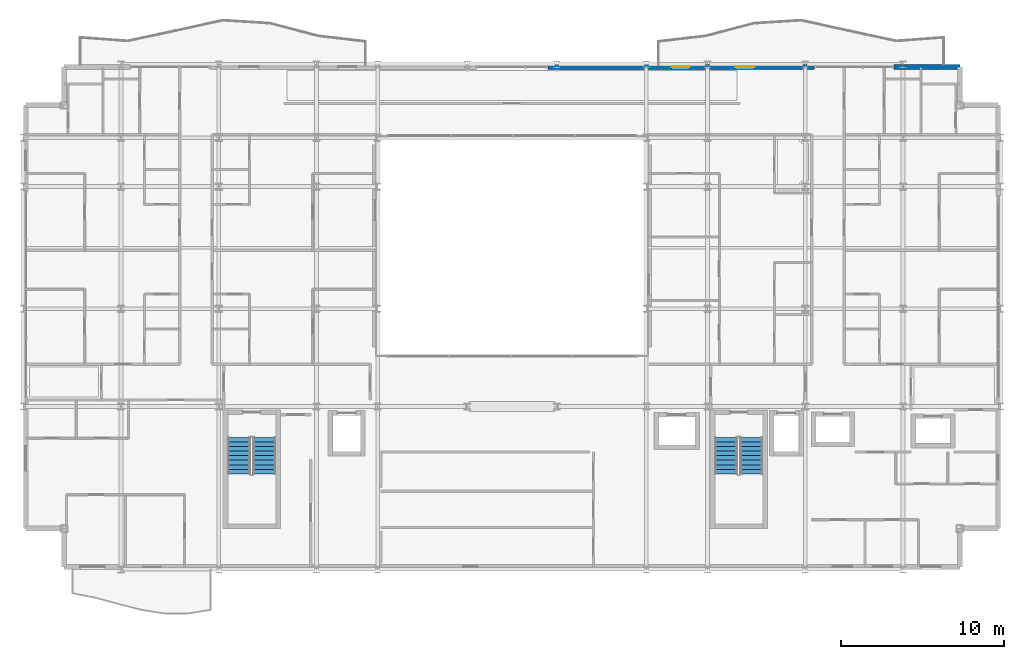
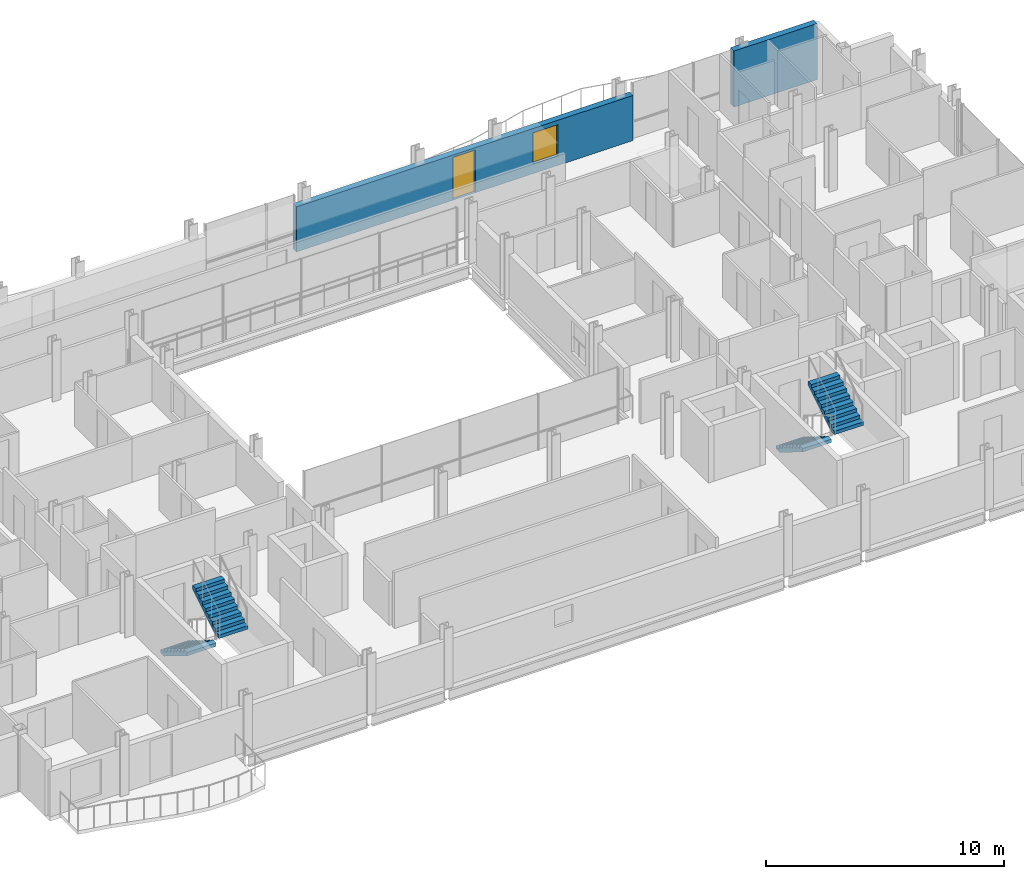
# One storey, part 37 of 41: 4 stair flights, 2 walls, 1 door, 1 window, 2 openings, 2 elements without a shape of their own.
"""IFC4 building model written with IfcOpenShell, lengths in metres."""

from ifc_helpers import new_model, si_unit, direction, frame, frame_2d, origin, place, context, subcontext, project, spatial, polyline, rectangle, outline, extrude, material, layer, layer_set, type_object, element, fill, aggregate, save


model = new_model("IFC4")

# Units and contexts
model_context = context("Model", 3, precision=1e-05, world=origin(), true_north=direction((0.0, 1.0)))
body_context = subcontext(model_context, "Body", "Model", "MODEL_VIEW")
ifc_project = project(units=[si_unit("LENGTHUNIT", "METRE"), si_unit("AREAUNIT", "SQUARE_METRE"), si_unit("VOLUMEUNIT", "CUBIC_METRE"), si_unit("PLANEANGLEUNIT", "RADIAN"), si_unit("MASSUNIT", "GRAM", prefix="KILO")], contexts=[model_context])

# Site, building, storey
site_placement = place(None, origin())
site = spatial("IfcSite", under=ifc_project, at=site_placement, CompositionType="ELEMENT")
building_placement = place(site_placement, origin())
building = spatial("IfcBuilding", under=site, at=building_placement, Name="Brevholm Reach", CompositionType="ELEMENT")
storey_placement = place(building_placement, frame((0.0, 0.0, 112.800048828125)))
storey = spatial("IfcBuildingStorey", under=building, at=storey_placement, Name="L33", CompositionType="ELEMENT", Elevation=112.800048828125)

# Wall
ifc_material_1 = material(Name="Concrete C40/50", Category="concrete")
ifc_layer_1 = layer(ifc_material_1, 0.300048828125)
ifc_layer_set_1 = layer_set([ifc_layer_1], Name="Concrete C40/50")
wall_type = type_object("IfcWallType", Name="WAL-EXT-300", PredefinedType="STANDARD", material=ifc_layer_set_1)
wall_1_placement = place(storey_placement, frame((53.449951171875, 30.85009765625, 0.0), z_axis=(0.0, 0.0, 1.0), x_axis=(1.0, 0.0, 0.0)))
element("IfcWall", 1, at=wall_1_placement, inside=storey, type_object=wall_type, Name="L33 Facade Wall WAL-L33-NP-E0", PredefinedType="STANDARD", context=body_context, shape_type="SweptSolid", body=[
    extrude(rectangle(XDim=4.050048828125, YDim=0.300048828125, at=frame_2d((2.02490234375, 0.0))), origin(), (0.0, 0.0, 1.0), 2.8798828125),
])

# Wall, openings, door, window
wall_2_placement = place(storey_placement, frame((32.199951171875, 30.85009765625, 0.0), z_axis=(0.0, 0.0, 1.0), x_axis=(1.0, 0.0, 0.0)))
wall_2 = element("IfcWall", 2, at=wall_2_placement, inside=storey, type_object=wall_type, Name="L33 Facade Wall WAL-L33-NP-ER", PredefinedType="STANDARD", context=body_context, shape_type="SweptSolid", body=[
    extrude(rectangle(XDim=16.35009765625, YDim=0.300048828125, at=frame_2d((8.175048828125, 0.0))), origin(), (0.0, 0.0, 1.0), 2.32177734375),
])
opening_1_placement = place(wall_2_placement, frame((7.60009765625, 0.0, 0.0)))
opening_1 = element("IfcOpeningElement", 3, at=opening_1_placement, cuts=wall_2, Name="Opening BD-01", PredefinedType="OPENING", context=body_context, shape_type="SweptSolid", body=[
    extrude(rectangle(XDim=1.10009765625, YDim=2.199951171875, at=frame_2d((0.550048828125, 1.10009765625))), frame((0.0, 0.159912109375, 0.0), z_axis=(0.0, -1.0, 0.0), x_axis=(1.0, 0.0, 0.0)), (0.0, 0.0, 1.0), 0.320068359375),
])
opening_2_placement = place(wall_2_placement, frame((11.5, 0.0, 0.501953125)))
opening_2 = element("IfcOpeningElement", 4, at=opening_2_placement, cuts=wall_2, Name="Opening WN-08", PredefinedType="OPENING", context=body_context, shape_type="SweptSolid", body=[
    extrude(rectangle(XDim=1.199951171875, YDim=1.60009765625, at=frame_2d((0.60009765625, 0.800048828125))), frame((0.0, 0.159912109375, 0.0), z_axis=(0.0, -1.0, 0.0), x_axis=(1.0, 0.0, 0.0)), (0.0, 0.0, 1.0), 0.320068359375),
])
ifc_material_2 = material(Name="Dark Anodised Aluminium and Triple-Glazed Glass", Category="aluminium")
door_type = type_object("IfcDoorType", Name="DOR-BALC-1100", OperationType="NOTDEFINED", PredefinedType="DOOR", material=ifc_material_2)
door_placement = place(opening_1_placement, origin())
door = element("IfcDoor", 5, at=door_placement, inside=storey, type_object=door_type, Name="L33 Exterior Door DOR-L33-BL-NE", OperationType="SINGLE_SWING_LEFT", OverallHeight=2.199951171875, OverallWidth=1.10009765625, PredefinedType="DOOR", context=body_context, shape_type="SweptSolid", body=[
    extrude(rectangle(XDim=1.10009765625, YDim=2.199951171875, at=frame_2d((0.550048828125, 1.10009765625))), frame((0.0, 0.02490234375, 0.0), z_axis=(0.0, -1.0, 0.0), x_axis=(1.0, 0.0, 0.0)), (0.0, 0.0, 1.0), 0.050048828125),
])
fill(opening_1, door)
ifc_material_3 = material(Name="Dark Anodised Aluminium and Solar-Control IGU Glass", Category="aluminium")
window_type = type_object("IfcWindowType", Name="WIN-RES-1200", PartitioningType="SINGLE_PANEL", PredefinedType="WINDOW", material=ifc_material_3)
window_placement = place(opening_2_placement, origin())
window = element("IfcWindow", 6, at=window_placement, inside=storey, type_object=window_type, Name="L33 Window WIN-L33-NP-ER1", OverallHeight=1.60009765625, OverallWidth=1.199951171875, PartitioningType="SINGLE_PANEL", PredefinedType="WINDOW", context=body_context, shape_type="SweptSolid", body=[
    extrude(rectangle(XDim=1.199951171875, YDim=1.60009765625, at=frame_2d((0.60009765625, 0.800048828125))), frame((0.0, 0.030029296875, 0.0), z_axis=(0.0, -1.0, 0.0), x_axis=(1.0, 0.0, 0.0)), (0.0, 0.0, 1.0), 0.06005859375),
])
fill(opening_2, window)

# Stair, stair flights
ifc_material_4 = material(Name="Precast Concrete C40/50", Category="concrete")
stair_type = type_object("IfcStairType", Name="STR-ESC-1400", PredefinedType="DOUBLE_RETURN_STAIR", material=ifc_material_4)
stair_1_placement = place(storey_placement, origin())
stair_1 = element("IfcStair", 7, at=stair_1_placement, inside=storey, type_object=stair_type, Name="L33 ST-1", PredefinedType="DOUBLE_RETURN_STAIR")
ifc_material_5 = material(Name="Precast Concrete C40/50", Category="concrete")
ifc_layer_2 = layer(ifc_material_5, 0.18505859375)
ifc_layer_set_2 = layer_set([ifc_layer_2], Name="Precast Concrete C40/50")
stair_flight_type = type_object("IfcStairFlightType", Name="STF-PRC-185", PredefinedType="STRAIGHT", material=ifc_layer_set_2)
stair_flight_1_placement = place(storey_placement, frame((13.25, 8.10009765625, 0.0), z_axis=(0.0, 0.0, 1.0), x_axis=(0.0, -1.0, 0.0)))
stair_flight_1 = element("IfcStairFlight", 8, at=stair_flight_1_placement, type_object=stair_flight_type, Name="ST-1 flight 1", NumberOfRisers=9, NumberOfTreads=8, PredefinedType="STRAIGHT", RiserHeight=0.172222222, TreadLength=0.28, context=body_context, shape_type="SweptSolid", body=[
    extrude(outline(polyline([(0.0, 0.0), (0.0, 0.172119140625), (0.280029296875, 0.172119140625), (0.280029296875, 0.344482421875), (0.56005859375, 0.344482421875), (0.56005859375, 0.5166015625), (0.840087890625, 0.5166015625), (0.840087890625, 0.68896484375), (1.1201171875, 0.68896484375), (1.1201171875, 0.861083984375), (1.39990234375, 0.861083984375), (1.39990234375, 1.033447265625), (1.679931640625, 1.033447265625), (1.679931640625, 1.20556640625), (1.9599609375, 1.20556640625), (1.9599609375, 1.377685546875), (2.239990234375, 1.377685546875), (2.239990234375, 1.550048828125), (2.239990234375, 1.201904296875), (0.2861328125, 0.0), (0.0, 0.0)])), frame((0.0, 0.699951171875, 0.0), z_axis=(0.0, -1.0, 0.0), x_axis=(1.0, 0.0, 0.0)), (0.0, 0.0, 1.0), 1.39990234375),
])
stair_flight_2_placement = place(storey_placement, frame((14.800048828125, 5.860107421875, 1.550048828125), z_axis=(0.0, 0.0, 1.0), x_axis=(0.0, 1.0, 0.0)))
stair_flight_2 = element("IfcStairFlight", 9, at=stair_flight_2_placement, type_object=stair_flight_type, Name="ST-1 flight 2", NumberOfRisers=9, NumberOfTreads=8, PredefinedType="STRAIGHT", RiserHeight=0.172222222, TreadLength=0.28, context=body_context, shape_type="SweptSolid", body=[
    extrude(outline(polyline([(0.0, 0.0), (0.0, 0.172119140625), (0.280029296875, 0.172119140625), (0.280029296875, 0.344482421875), (0.56005859375, 0.344482421875), (0.56005859375, 0.5166015625), (0.840087890625, 0.5166015625), (0.840087890625, 0.68896484375), (1.1201171875, 0.68896484375), (1.1201171875, 0.861083984375), (1.39990234375, 0.861083984375), (1.39990234375, 1.033447265625), (1.679931640625, 1.033447265625), (1.679931640625, 1.20556640625), (1.9599609375, 1.20556640625), (1.9599609375, 1.377685546875), (2.239990234375, 1.377685546875), (2.239990234375, 1.550048828125), (2.239990234375, 1.201904296875), (0.2861328125, 0.0), (0.0, 0.0)])), frame((0.0, 0.699951171875, 0.0), z_axis=(0.0, -1.0, 0.0), x_axis=(1.0, 0.0, 0.0)), (0.0, 0.0, 1.0), 1.39990234375),
])
aggregate(stair_1, [stair_flight_1, stair_flight_2])

stair_2_placement = place(storey_placement, origin())
stair_2 = element("IfcStair", 10, at=stair_2_placement, inside=storey, type_object=stair_type, Name="L33 ST-2", PredefinedType="DOUBLE_RETURN_STAIR")
stair_flight_3_placement = place(storey_placement, frame((43.14990234375, 8.10009765625, 0.0), z_axis=(0.0, 0.0, 1.0), x_axis=(0.0, -1.0, 0.0)))
stair_flight_3 = element("IfcStairFlight", 11, at=stair_flight_3_placement, type_object=stair_flight_type, Name="ST-2 flight 1", NumberOfRisers=9, NumberOfTreads=8, PredefinedType="STRAIGHT", RiserHeight=0.172222222, TreadLength=0.28, context=body_context, shape_type="SweptSolid", body=[
    extrude(outline(polyline([(0.0, 0.0), (0.0, 0.172119140625), (0.280029296875, 0.172119140625), (0.280029296875, 0.344482421875), (0.56005859375, 0.344482421875), (0.56005859375, 0.5166015625), (0.840087890625, 0.5166015625), (0.840087890625, 0.68896484375), (1.1201171875, 0.68896484375), (1.1201171875, 0.861083984375), (1.39990234375, 0.861083984375), (1.39990234375, 1.033447265625), (1.679931640625, 1.033447265625), (1.679931640625, 1.20556640625), (1.9599609375, 1.20556640625), (1.9599609375, 1.377685546875), (2.239990234375, 1.377685546875), (2.239990234375, 1.550048828125), (2.239990234375, 1.201904296875), (0.2861328125, 0.0), (0.0, 0.0)])), frame((0.0, 0.699951171875, 0.0), z_axis=(0.0, -1.0, 0.0), x_axis=(1.0, 0.0, 0.0)), (0.0, 0.0, 1.0), 1.39990234375),
])
stair_flight_4_placement = place(storey_placement, frame((44.699951171875, 5.860107421875, 1.550048828125), z_axis=(0.0, 0.0, 1.0), x_axis=(0.0, 1.0, 0.0)))
stair_flight_4 = element("IfcStairFlight", 12, at=stair_flight_4_placement, type_object=stair_flight_type, Name="ST-2 flight 2", NumberOfRisers=9, NumberOfTreads=8, PredefinedType="STRAIGHT", RiserHeight=0.172222222, TreadLength=0.28, context=body_context, shape_type="SweptSolid", body=[
    extrude(outline(polyline([(0.0, 0.0), (0.0, 0.172119140625), (0.280029296875, 0.172119140625), (0.280029296875, 0.344482421875), (0.56005859375, 0.344482421875), (0.56005859375, 0.5166015625), (0.840087890625, 0.5166015625), (0.840087890625, 0.68896484375), (1.1201171875, 0.68896484375), (1.1201171875, 0.861083984375), (1.39990234375, 0.861083984375), (1.39990234375, 1.033447265625), (1.679931640625, 1.033447265625), (1.679931640625, 1.20556640625), (1.9599609375, 1.20556640625), (1.9599609375, 1.377685546875), (2.239990234375, 1.377685546875), (2.239990234375, 1.550048828125), (2.239990234375, 1.201904296875), (0.2861328125, 0.0), (0.0, 0.0)])), frame((0.0, 0.699951171875, 0.0), z_axis=(0.0, -1.0, 0.0), x_axis=(1.0, 0.0, 0.0)), (0.0, 0.0, 1.0), 1.39990234375),
])
aggregate(stair_2, [stair_flight_3, stair_flight_4])

save(model, "model.ifc")
